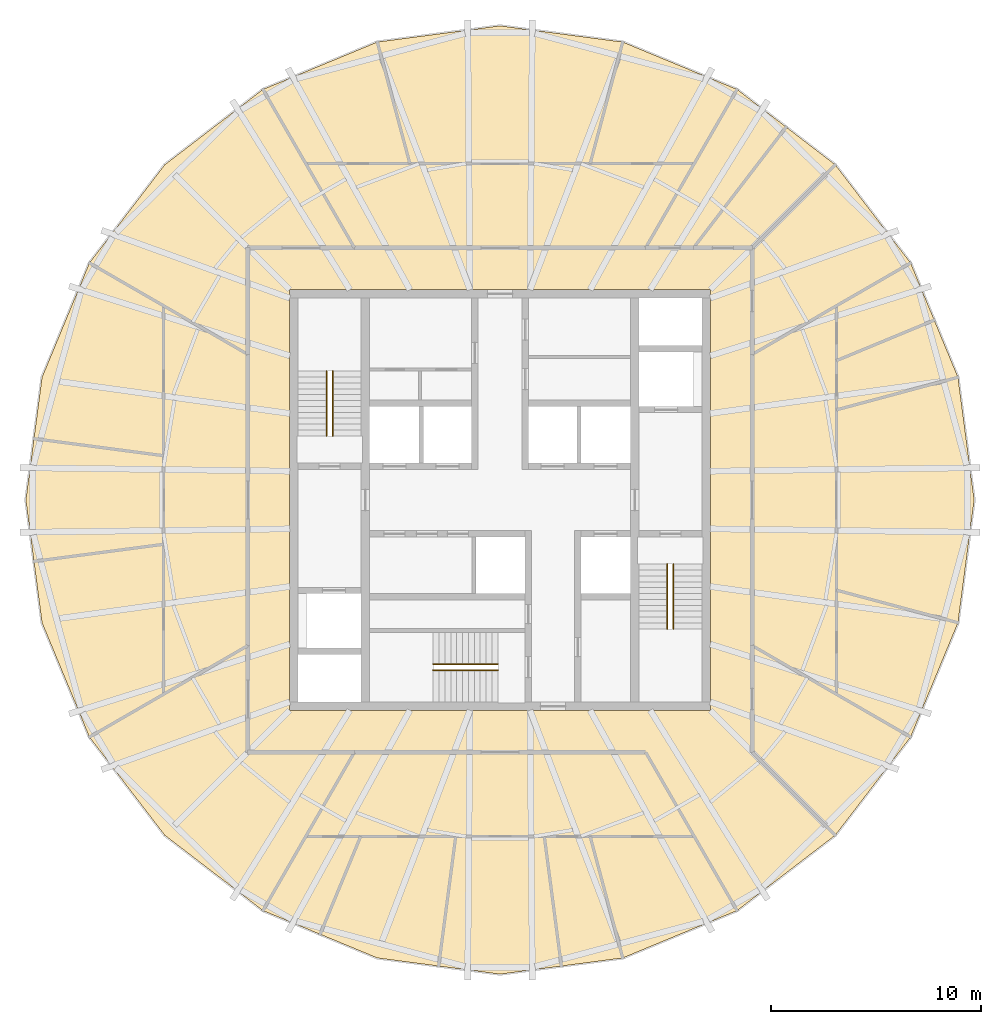
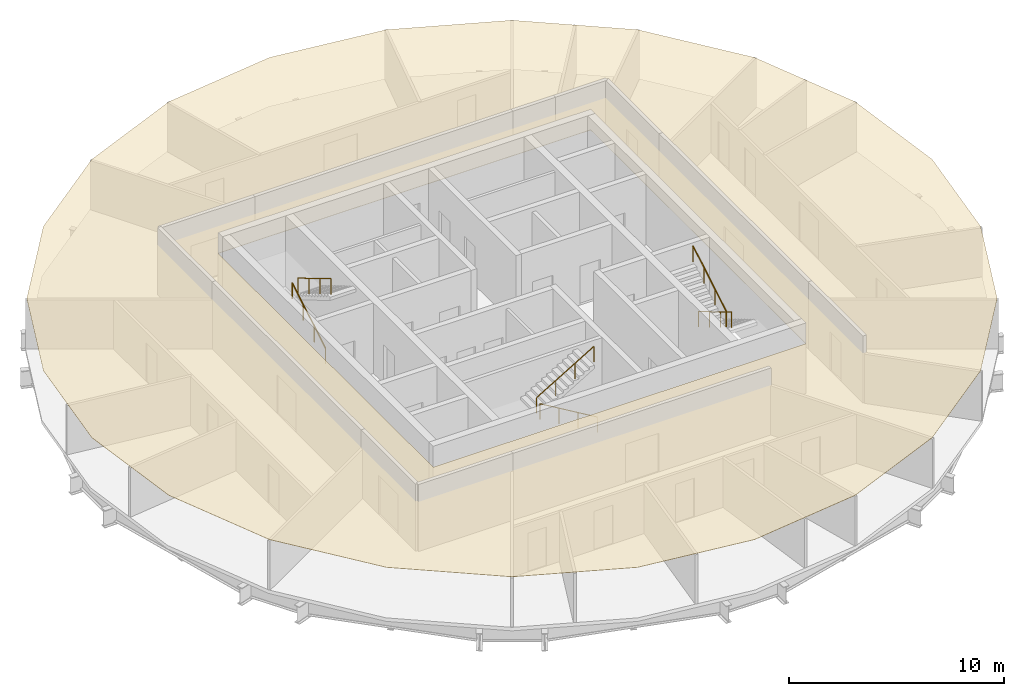
# One storey, part 6 of 6: 6 railings, 1 covering.
"""IFC4 building model written with IfcOpenShell, lengths in metres."""

from ifc_helpers import new_model, si_unit, direction, frame, origin, origin_2d, place, context, subcontext, project, spatial, polyline, circle, outline, extrude, material, layer, layer_set, type_object, element, save


model = new_model("IFC4")

# Units and contexts
model_context = context("Model", 3, precision=1e-05, world=origin(), true_north=direction((0.0, 1.0)))
body_context = subcontext(model_context, "Body", "Model", "MODEL_VIEW")
ifc_project = project(units=[si_unit("LENGTHUNIT", "METRE"), si_unit("AREAUNIT", "SQUARE_METRE"), si_unit("VOLUMEUNIT", "CUBIC_METRE"), si_unit("PLANEANGLEUNIT", "RADIAN"), si_unit("MASSUNIT", "GRAM", prefix="KILO")], contexts=[model_context])

# Site, building, storey
site_placement = place(None, origin())
site = spatial("IfcSite", under=ifc_project, at=site_placement, CompositionType="ELEMENT")
building_placement = place(site_placement, origin())
building = spatial("IfcBuilding", under=site, at=building_placement, Name="Golbaran Civic Tower", CompositionType="ELEMENT")
storey_placement = place(building_placement, frame((0.0, 0.0, 244.0)))
storey = spatial("IfcBuildingStorey", under=building, at=storey_placement, Name="L59", CompositionType="ELEMENT", Elevation=244.0)

# Railings
ifc_material_1 = material(Name="Stainless steel", Category="steel")
railing_type = type_object("IfcRailingType", Name="STAIR HANDRAIL 900", PredefinedType="HANDRAIL", material=ifc_material_1)
railing_1_placement = place(storey_placement, frame((-8.25, 3.050048828125, 0.166748046875)))
element("IfcRailing", 1, at=railing_1_placement, inside=storey, type_object=railing_type, Name="Stair S1 handrail flight 1 L59", PredefinedType="HANDRAIL", context=body_context, shape_type="SweptSolid", body=[
    extrude(circle(Radius=0.02392578125, at=origin_2d()), frame((0.0, 0.0, 0.8759765625), z_axis=(0.0, 0.859290745958, 0.51148745235), x_axis=(-1.0, 0.0, 0.0)), (0.0, 0.0, 1.0), 3.584228515625),
    extrude(circle(Radius=0.02099609375, at=origin_2d()), origin(), (0.0, 0.0, 1.0), 0.851806640625),
    extrude(circle(Radius=0.02099609375, at=origin_2d()), frame((0.0, 1.026611328125, 0.611083984375)), (0.0, 0.0, 1.0), 0.851806640625),
    extrude(circle(Radius=0.02099609375, at=origin_2d()), frame((0.0, 2.05322265625, 1.22216796875)), (0.0, 0.0, 1.0), 0.851806640625),
    extrude(circle(Radius=0.02099609375, at=origin_2d()), frame((0.0, 3.079833984375, 1.833251953125)), (0.0, 0.0, 1.0), 0.851806640625),
])
for number, where, name in (
    (2, (-7.949951171875, 6.1298828125, 2.166748046875), "Stair S1 handrail flight 2 L59"),
    (3, (8.25, -3.050048828125, 0.166748046875), "Stair S2 handrail flight 1 L59"),
):
    element("IfcRailing", number, at=place(storey_placement, frame(where)), inside=storey, type_object=railing_type, Name=name, PredefinedType="HANDRAIL", context=body_context, shape_type="SweptSolid", body=[
        extrude(circle(Radius=0.02392578125, at=origin_2d()), frame((0.0, 0.0, 0.8759765625), z_axis=(0.0, -0.859290745958, 0.51148745235), x_axis=(1.0, 0.0, 0.0)), (0.0, 0.0, 1.0), 3.584228515625),
        extrude(circle(Radius=0.02099609375, at=origin_2d()), origin(), (0.0, 0.0, 1.0), 0.851806640625),
        extrude(circle(Radius=0.02099609375, at=origin_2d()), frame((0.0, -1.026611328125, 0.611083984375)), (0.0, 0.0, 1.0), 0.851806640625),
        extrude(circle(Radius=0.02099609375, at=origin_2d()), frame((0.0, -2.05322265625, 1.22216796875)), (0.0, 0.0, 1.0), 0.851806640625),
        extrude(circle(Radius=0.02099609375, at=origin_2d()), frame((0.0, -3.079833984375, 1.833251953125)), (0.0, 0.0, 1.0), 0.851806640625),
    ])
railing_2_placement = place(storey_placement, frame((7.949951171875, -6.1298828125, 2.166748046875)))
element("IfcRailing", 4, at=railing_2_placement, inside=storey, type_object=railing_type, Name="Stair S2 handrail flight 2 L59", PredefinedType="HANDRAIL", context=body_context, shape_type="SweptSolid", body=[
    extrude(circle(Radius=0.02392578125, at=origin_2d()), frame((0.0, 0.0, 0.8759765625), z_axis=(0.0, 0.859290745958, 0.51148745235), x_axis=(-1.0, 0.0, 0.0)), (0.0, 0.0, 1.0), 3.584228515625),
    extrude(circle(Radius=0.02099609375, at=origin_2d()), origin(), (0.0, 0.0, 1.0), 0.851806640625),
    extrude(circle(Radius=0.02099609375, at=origin_2d()), frame((0.0, 1.026611328125, 0.611083984375)), (0.0, 0.0, 1.0), 0.851806640625),
    extrude(circle(Radius=0.02099609375, at=origin_2d()), frame((0.0, 2.05322265625, 1.22216796875)), (0.0, 0.0, 1.0), 0.851806640625),
    extrude(circle(Radius=0.02099609375, at=origin_2d()), frame((0.0, 3.079833984375, 1.833251953125)), (0.0, 0.0, 1.0), 0.851806640625),
])
railing_3_placement = place(storey_placement, frame((-0.10009765625, -8.10009765625, 0.166748046875)))
element("IfcRailing", 5, at=railing_3_placement, inside=storey, type_object=railing_type, Name="Stair S3 handrail flight 1 L59", PredefinedType="HANDRAIL", context=body_context, shape_type="SweptSolid", body=[
    extrude(circle(Radius=0.02392578125, at=origin_2d()), frame((0.0, 0.0, 0.8759765625), z_axis=(-0.859290745958, 0.0, 0.51148745235), x_axis=(0.0, -1.0, 0.0)), (0.0, 0.0, 1.0), 3.584228515625),
    extrude(circle(Radius=0.02099609375, at=origin_2d()), origin(), (0.0, 0.0, 1.0), 0.851806640625),
    extrude(circle(Radius=0.02099609375, at=origin_2d()), frame((-1.026611328125, 0.0, 0.611083984375)), (0.0, 0.0, 1.0), 0.851806640625),
    extrude(circle(Radius=0.02099609375, at=origin_2d()), frame((-2.05322265625, 0.0, 1.22216796875)), (0.0, 0.0, 1.0), 0.851806640625),
    extrude(circle(Radius=0.02099609375, at=origin_2d()), frame((-3.079833984375, 0.0, 1.833251953125)), (0.0, 0.0, 1.0), 0.851806640625),
])
railing_4_placement = place(storey_placement, frame((-3.179931640625, -7.800048828125, 2.166748046875)))
element("IfcRailing", 6, at=railing_4_placement, inside=storey, type_object=railing_type, Name="Stair S3 handrail flight 2 L59", PredefinedType="HANDRAIL", context=body_context, shape_type="SweptSolid", body=[
    extrude(circle(Radius=0.02392578125, at=origin_2d()), frame((0.0, 0.0, 0.8759765625), z_axis=(0.859290745958, 0.0, 0.51148745235), x_axis=(0.0, 1.0, 0.0)), (0.0, 0.0, 1.0), 3.584228515625),
    extrude(circle(Radius=0.02099609375, at=origin_2d()), origin(), (0.0, 0.0, 1.0), 0.851806640625),
    extrude(circle(Radius=0.02099609375, at=origin_2d()), frame((1.026611328125, 0.0, 0.611083984375)), (0.0, 0.0, 1.0), 0.851806640625),
    extrude(circle(Radius=0.02099609375, at=origin_2d()), frame((2.05322265625, 0.0, 1.22216796875)), (0.0, 0.0, 1.0), 0.851806640625),
    extrude(circle(Radius=0.02099609375, at=origin_2d()), frame((3.079833984375, 0.0, 1.833251953125)), (0.0, 0.0, 1.0), 0.851806640625),
])

# Covering
ifc_material_2 = material(Name="Mineral fibre tile on steel grid", Category="steel")
ifc_layer = layer(ifc_material_2, 0.02001953125, Name="Mineral fibre tile on steel grid")
ifc_layer_set = layer_set([ifc_layer], Name="Mineral fibre tile on steel grid")
covering_type = type_object("IfcCoveringType", Name="SUSPENDED CEILING 600 TILE 20", PredefinedType="CEILING", material=ifc_layer_set)
covering_placement = place(storey_placement, frame((0.0, 0.0, 2.800048828125)))
element("IfcCovering", 7, at=covering_placement, inside=storey, type_object=covering_type, Name="Suspended ceiling L59", PredefinedType="CEILING", context=body_context, shape_type="SweptSolid", body=[
    extrude(outline(polyline([(-19.52880859375, 11.27490234375), (-15.9453125, 15.9453125), (-11.27490234375, 19.52880859375), (-5.83642578125, 21.78173828125), (0.0, 22.550048828125), (5.83642578125, 21.78173828125), (11.27490234375, 19.52880859375), (15.9453125, 15.9453125), (19.52880859375, 11.27490234375), (21.78173828125, 5.83642578125), (22.550048828125, 0.0), (21.78173828125, -5.83642578125), (19.52880859375, -11.27490234375), (15.9453125, -15.9453125), (11.27490234375, -19.52880859375), (5.83642578125, -21.78173828125), (3.06689453125, -22.146240234375), (0.0, -22.550048828125), (-5.83642578125, -21.78173828125), (-11.27490234375, -19.52880859375), (-15.9453125, -15.9453125), (-19.52880859375, -11.27490234375), (-21.78173828125, -5.83642578125), (-22.146240234375, -3.06689453125), (-22.550048828125, 0.0), (-21.78173828125, 5.83642578125), (-19.52880859375, 11.27490234375)]), holes=[polyline([(-10.0, 10.0), (-10.0, -10.0), (10.0, -10.0), (10.0, 10.0), (-10.0, 10.0)])]), origin(), (0.0, 0.0, 1.0), 0.02001953125),
])

save(model, "model.ifc")
